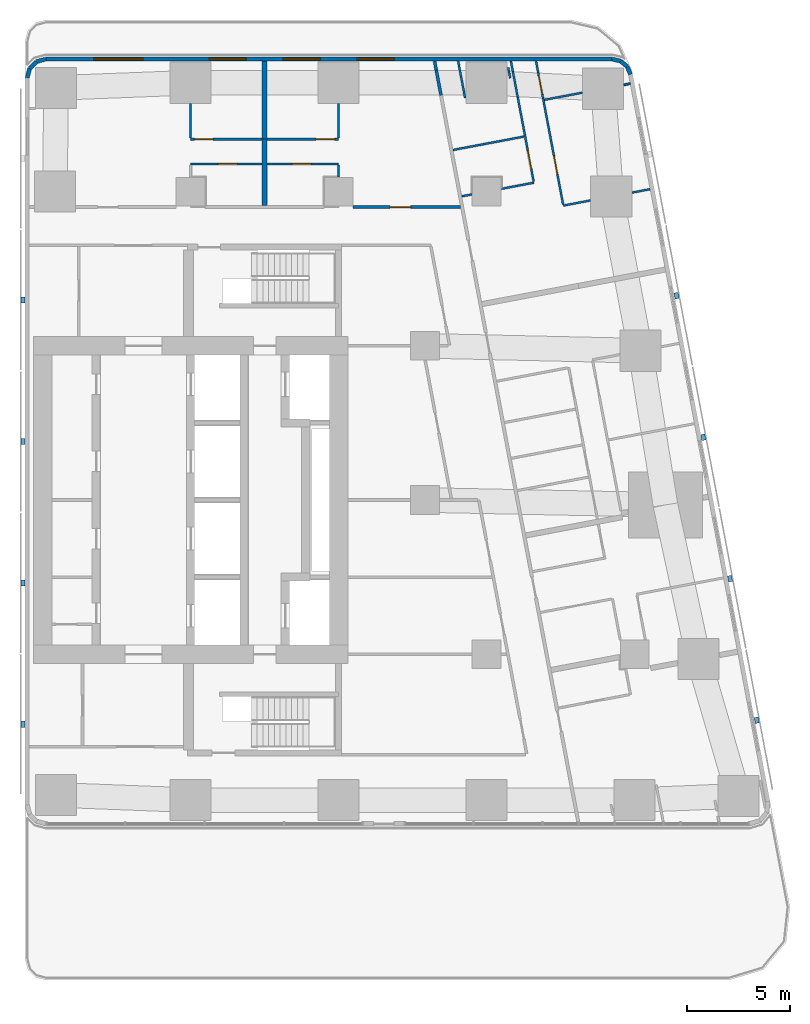
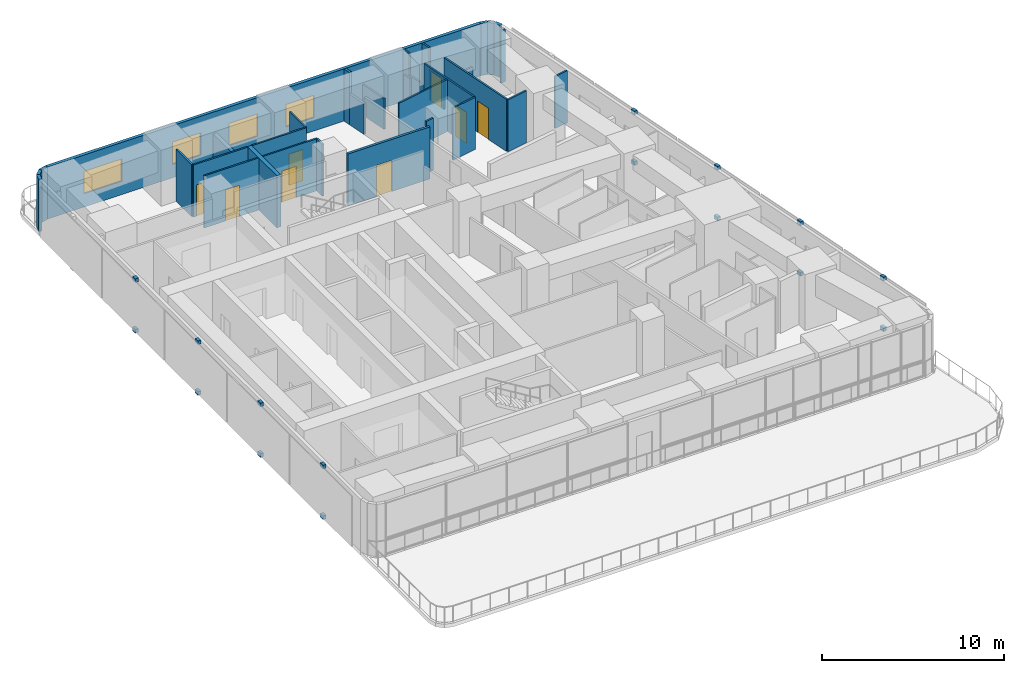
# One storey, part 8 of 12: 34 walls, 16 discrete accessories, 8 doors, 4 windows, 12 openings.
"""IFC4 building model written with IfcOpenShell, lengths in metres."""

from ifc_helpers import new_model, si_unit, direction, frame, frame_2d, origin, origin_2d, place, context, subcontext, project, spatial, rectangle, extrude, material, layer, layer_set, type_object, element, fill, save


model = new_model("IFC4")

# Units and contexts
model_context = context("Model", 3, precision=1e-05, world=origin(), true_north=direction((0.0, 1.0)))
body_context = subcontext(model_context, "Body", "Model", "MODEL_VIEW")
ifc_project = project(units=[si_unit("LENGTHUNIT", "METRE"), si_unit("AREAUNIT", "SQUARE_METRE"), si_unit("VOLUMEUNIT", "CUBIC_METRE"), si_unit("PLANEANGLEUNIT", "RADIAN"), si_unit("MASSUNIT", "GRAM", prefix="KILO")], contexts=[model_context])

# Site, building, storey
site_placement = place(None, origin())
site = spatial("IfcSite", under=ifc_project, at=site_placement, CompositionType="ELEMENT")
building_placement = place(site_placement, origin())
building = spatial("IfcBuilding", under=site, at=building_placement, Name="Sheger Commons Tower", CompositionType="ELEMENT")
storey_placement = place(building_placement, frame((0.0, 0.0, 251.60009765625)))
storey = spatial("IfcBuildingStorey", under=building, at=storey_placement, Name="L64", CompositionType="ELEMENT", Elevation=251.60009765625)

# Wall, opening, door
ifc_material_1 = material(Name="Hollow concrete block masonry, skimmed both sides", Category="masonry")
ifc_layer_1 = layer(ifc_material_1, 0.14990234375)
ifc_layer_set_1 = layer_set([ifc_layer_1], Name="CORRIDOR WALL 150")
wall_type_1 = type_object("IfcWallType", Name="CORRIDOR WALL 150", PredefinedType="SOLIDWALL", material=ifc_layer_set_1)
wall_1_placement = place(storey_placement, frame((29.5009765625, 36.75, 0.0), z_axis=(0.0, 0.0, 1.0), x_axis=(1.0, 0.0, 0.0)))
wall_1 = element("IfcWall", 1, at=wall_1_placement, inside=storey, type_object=wall_type_1, Name="Corridor wall L64", PredefinedType="SOLIDWALL", context=body_context, shape_type="SweptSolid", body=[
    extrude(rectangle(XDim=5.216064453125, YDim=0.14990234375, at=frame_2d((2.60791015625, 0.0))), origin(), (0.0, 0.0, 1.0), 3.5),
])
opening_1_placement = place(wall_1_placement, frame((1.802978515625, 0.0, 0.0)))
opening_1 = element("IfcOpeningElement", 2, at=opening_1_placement, cuts=wall_1, Name="Opening D1", PredefinedType="OPENING", context=body_context, shape_type="SweptSolid", body=[
    extrude(rectangle(XDim=1.0, YDim=2.10009765625, at=frame_2d((0.5, 1.050048828125))), frame((0.0, 0.0849609375, 0.0), z_axis=(0.0, -1.0, 0.0), x_axis=(1.0, 0.0, 0.0)), (0.0, 0.0, 1.0), 0.169921875),
])
ifc_material_2 = material(Name="Steel door set, fire rated", Category="steel")
door_type_1 = type_object("IfcDoorType", Name="FLAT ENTRANCE DOOR 1000x2100", OperationType="NOTDEFINED", PredefinedType="DOOR", material=ifc_material_2)
door_1_placement = place(opening_1_placement, origin())
door_1 = element("IfcDoor", 3, at=door_1_placement, inside=storey, type_object=door_type_1, Name="Flat entrance door", OperationType="SINGLE_SWING_LEFT", OverallHeight=2.10009765625, OverallWidth=1.0, PredefinedType="DOOR", context=body_context, shape_type="SweptSolid", body=[
    extrude(rectangle(XDim=1.0, YDim=2.10009765625, at=frame_2d((0.5, 1.050048828125))), frame((0.0, 0.02490234375, 0.0), z_axis=(0.0, -1.0, 0.0), x_axis=(1.0, 0.0, 0.0)), (0.0, 0.0, 1.0), 0.050048828125),
])
fill(opening_1, door_1)

# Walls
wall_2_placement = place(storey_placement, frame((33.467041015625, 43.85009765625, 0.0), z_axis=(0.0, 0.0, 1.0), x_axis=(0.184886516626, -0.982759877066, 0.0)))
element("IfcWall", 4, at=wall_2_placement, inside=storey, type_object=wall_type_1, Name="Corridor wall L64", PredefinedType="SOLIDWALL", context=body_context, shape_type="SweptSolid", body=[
    extrude(rectangle(XDim=0.443603515625, YDim=0.14990234375, at=frame_2d((0.2216796875, 0.0))), origin(), (0.0, 0.0, 1.0), 3.5),
])
wall_3_placement = place(storey_placement, frame((33.549072265625, 43.4140625, 0.0), z_axis=(0.0, 0.0, 1.0), x_axis=(0.185585816539, -0.982628060204, 0.0)))
element("IfcWall", 5, at=wall_3_placement, inside=storey, type_object=wall_type_1, Name="Corridor wall L64", PredefinedType="SOLIDWALL", context=body_context, shape_type="SweptSolid", body=[
    extrude(rectangle(XDim=1.249755859375, YDim=0.14990234375, at=frame_2d((0.625, 0.0))), origin(), (0.0, 0.0, 1.0), 2.0498046875),
])
ifc_material_3 = material(Name="Dense concrete block masonry, plastered both sides (separating wall between flats)", Category="masonry")
ifc_layer_2 = layer(ifc_material_3, 0.25)
ifc_layer_set_2 = layer_set([ifc_layer_2], Name="DEMISING WALL 250")
wall_type_2 = type_object("IfcWallType", Name="DEMISING WALL 250", PredefinedType="SOLIDWALL", material=ifc_layer_set_2)
wall_4_placement = place(storey_placement, frame((25.199951171875, 40.050048828125, 0.0), z_axis=(0.0, 0.0, 1.0), x_axis=(0.0, 1.0, 0.0)))
element("IfcWall", 6, at=wall_4_placement, inside=storey, type_object=wall_type_2, Name="Demising wall L64", PredefinedType="SOLIDWALL", context=body_context, shape_type="SweptSolid", body=[
    extrude(rectangle(XDim=3.800048828125, YDim=0.25, at=frame_2d((1.89990234375, 0.0))), origin(), (0.0, 0.0, 1.0), 2.0498046875),
])
wall_5_placement = place(storey_placement, frame((25.199951171875, 36.824951171875, 0.0), z_axis=(0.0, 0.0, 1.0), x_axis=(0.0, 1.0, 0.0)))
element("IfcWall", 7, at=wall_5_placement, inside=storey, type_object=wall_type_2, Name="Demising wall L64", PredefinedType="SOLIDWALL", context=body_context, shape_type="SweptSolid", body=[
    extrude(rectangle(XDim=3.22509765625, YDim=0.25, at=frame_2d((1.612548828125, 0.0))), origin(), (0.0, 0.0, 1.0), 3.5),
])
ifc_material_4 = material(Name="Rendered concrete block masonry, dark grey", Category="masonry")
ifc_layer_3 = layer(ifc_material_4, 0.199951171875)
ifc_layer_set_3 = layer_set([ifc_layer_3], Name="FACADE WALL 200")
wall_type_3 = type_object("IfcWallType", Name="FACADE WALL 200", PredefinedType="SOLIDWALL", material=ifc_layer_set_3)
wall_6_placement = place(storey_placement, frame((43.001953125, 43.2060546875, 0.0), z_axis=(0.0, 0.0, 1.0), x_axis=(-0.40678170573, 0.913525393124, 0.0)))
element("IfcWall", 8, at=wall_6_placement, inside=storey, type_object=wall_type_3, Name="Facade wall L64", PredefinedType="SOLIDWALL", context=body_context, shape_type="SweptSolid", body=[
    extrude(rectangle(XDim=0.422607421875, YDim=0.199951171875, at=frame_2d((0.21142578125, 0.0))), origin(), (0.0, 0.0, 1.0), 3.5),
])
wall_7_placement = place(storey_placement, frame((42.830078125, 43.592041015625, 0.0), z_axis=(0.0, 0.0, 1.0), x_axis=(-0.771190539797, 0.636604391539, 0.0)))
element("IfcWall", 9, at=wall_7_placement, inside=storey, type_object=wall_type_3, Name="Facade wall L64", PredefinedType="SOLIDWALL", context=body_context, shape_type="SweptSolid", body=[
    extrude(rectangle(XDim=0.409912109375, YDim=0.199951171875, at=frame_2d((0.205078125, 0.0))), origin(), (0.0, 0.0, 1.0), 3.5),
])
wall_8_placement = place(storey_placement, frame((42.513916015625, 43.85302734375, 0.0), z_axis=(0.0, 0.0, 1.0), x_axis=(-0.973288080424, 0.229587265555, 0.0)))
element("IfcWall", 10, at=wall_8_placement, inside=storey, type_object=wall_type_3, Name="Facade wall L64", PredefinedType="SOLIDWALL", context=body_context, shape_type="SweptSolid", body=[
    extrude(rectangle(XDim=0.422119140625, YDim=0.199951171875, at=frame_2d((0.2109375, 0.0))), origin(), (0.0, 0.0, 1.0), 3.5),
])

# Wall, openings, windows
wall_9_placement = place(storey_placement, frame((42.10302734375, 43.949951171875, 0.0), z_axis=(0.0, 0.0, 1.0), x_axis=(-1.0, 0.0, 0.0)))
wall_9 = element("IfcWall", 11, at=wall_9_placement, inside=storey, type_object=wall_type_3, Name="Facade wall L64", PredefinedType="SOLIDWALL", context=body_context, shape_type="SweptSolid", body=[
    extrude(rectangle(XDim=27.5400390625, YDim=0.199951171875, at=frame_2d((13.77001953125, 0.0))), origin(), (0.0, 0.0, 1.0), 3.5),
])
opening_2_placement = place(wall_9_placement, frame((10.60302734375, 0.0, 0.89990234375)))
opening_2 = element("IfcOpeningElement", 12, at=opening_2_placement, cuts=wall_9, Name="Opening W2", PredefinedType="OPENING", context=body_context, shape_type="SweptSolid", body=[
    extrude(rectangle(XDim=1.800048828125, YDim=1.5, at=frame_2d((0.89990234375, 0.75))), frame((0.0, 0.10986328125, 0.0), z_axis=(0.0, -1.0, 0.0), x_axis=(1.0, 0.0, 0.0)), (0.0, 0.0, 1.0), 0.219970703125),
])
opening_3_placement = place(wall_9_placement, frame((14.202880859375, 0.0, 0.89990234375)))
opening_3 = element("IfcOpeningElement", 13, at=opening_3_placement, cuts=wall_9, Name="Opening W2", PredefinedType="OPENING", context=body_context, shape_type="SweptSolid", body=[
    extrude(rectangle(XDim=1.800048828125, YDim=1.5, at=frame_2d((0.89990234375, 0.75))), frame((0.0, 0.10986328125, 0.0), z_axis=(0.0, -1.0, 0.0), x_axis=(1.0, 0.0, 0.0)), (0.0, 0.0, 1.0), 0.219970703125),
])
opening_4_placement = place(wall_9_placement, frame((17.802978515625, 0.0, 0.89990234375)))
opening_4 = element("IfcOpeningElement", 14, at=opening_4_placement, cuts=wall_9, Name="Opening W2", PredefinedType="OPENING", context=body_context, shape_type="SweptSolid", body=[
    extrude(rectangle(XDim=1.800048828125, YDim=1.5, at=frame_2d((0.89990234375, 0.75))), frame((0.0, 0.10986328125, 0.0), z_axis=(0.0, -1.0, 0.0), x_axis=(1.0, 0.0, 0.0)), (0.0, 0.0, 1.0), 0.219970703125),
])
opening_5_placement = place(wall_9_placement, frame((22.822021484375, 0.0, 0.89990234375)))
opening_5 = element("IfcOpeningElement", 15, at=opening_5_placement, cuts=wall_9, Name="Opening W1", PredefinedType="OPENING", context=body_context, shape_type="SweptSolid", body=[
    extrude(rectangle(XDim=2.39990234375, YDim=1.5, at=frame_2d((1.199951171875, 0.75))), frame((0.0, 0.10986328125, 0.0), z_axis=(0.0, -1.0, 0.0), x_axis=(1.0, 0.0, 0.0)), (0.0, 0.0, 1.0), 0.219970703125),
])
ifc_material_5 = material(Name="Black aluminium frame, dark tinted double glazing", Category="aluminium")
window_type_1 = type_object("IfcWindowType", Name="WINDOW W1 2400x1500", PartitioningType="SINGLE_PANEL", PredefinedType="WINDOW", material=ifc_material_5)
window_1_placement = place(opening_5_placement, origin())
window_1 = element("IfcWindow", 16, at=window_1_placement, inside=storey, type_object=window_type_1, Name="Window W1 2400X1500", OverallHeight=1.5, OverallWidth=2.39990234375, PartitioningType="SINGLE_PANEL", PredefinedType="WINDOW", context=body_context, shape_type="SweptSolid", body=[
    extrude(rectangle(XDim=2.39990234375, YDim=1.5, at=frame_2d((1.199951171875, 0.75))), frame((0.0, 0.030029296875, 0.0), z_axis=(0.0, -1.0, 0.0), x_axis=(1.0, 0.0, 0.0)), (0.0, 0.0, 1.0), 0.06005859375),
])
fill(opening_5, window_1)
ifc_material_6 = material(Name="Black aluminium frame, dark tinted double glazing", Category="aluminium")
window_type_2 = type_object("IfcWindowType", Name="WINDOW W2 1800x1500", PartitioningType="SINGLE_PANEL", PredefinedType="WINDOW", material=ifc_material_6)
window_2_placement = place(opening_2_placement, origin())
window_2 = element("IfcWindow", 17, at=window_2_placement, inside=storey, type_object=window_type_2, Name="Window W2 1800X1500", OverallHeight=1.5, OverallWidth=1.800048828125, PartitioningType="SINGLE_PANEL", PredefinedType="WINDOW", context=body_context, shape_type="SweptSolid", body=[
    extrude(rectangle(XDim=1.800048828125, YDim=1.5, at=frame_2d((0.89990234375, 0.75))), frame((0.0, 0.030029296875, 0.0), z_axis=(0.0, -1.0, 0.0), x_axis=(1.0, 0.0, 0.0)), (0.0, 0.0, 1.0), 0.06005859375),
])
fill(opening_2, window_2)
window_3_placement = place(opening_3_placement, origin())
window_3 = element("IfcWindow", 18, at=window_3_placement, inside=storey, type_object=window_type_2, Name="Window W2 1800X1500", OverallHeight=1.5, OverallWidth=1.800048828125, PartitioningType="SINGLE_PANEL", PredefinedType="WINDOW", context=body_context, shape_type="SweptSolid", body=[
    extrude(rectangle(XDim=1.800048828125, YDim=1.5, at=frame_2d((0.89990234375, 0.75))), frame((0.0, 0.030029296875, 0.0), z_axis=(0.0, -1.0, 0.0), x_axis=(1.0, 0.0, 0.0)), (0.0, 0.0, 1.0), 0.06005859375),
])
fill(opening_3, window_3)
window_4_placement = place(opening_4_placement, origin())
window_4 = element("IfcWindow", 19, at=window_4_placement, inside=storey, type_object=window_type_2, Name="Window W2 1800X1500", OverallHeight=1.5, OverallWidth=1.800048828125, PartitioningType="SINGLE_PANEL", PredefinedType="WINDOW", context=body_context, shape_type="SweptSolid", body=[
    extrude(rectangle(XDim=1.800048828125, YDim=1.5, at=frame_2d((0.89990234375, 0.75))), frame((0.0, 0.030029296875, 0.0), z_axis=(0.0, -1.0, 0.0), x_axis=(1.0, 0.0, 0.0)), (0.0, 0.0, 1.0), 0.06005859375),
])
fill(opening_4, window_4)

# Walls
wall_10_placement = place(storey_placement, frame((14.56298828125, 43.949951171875, 0.0), z_axis=(0.0, 0.0, 1.0), x_axis=(-0.965655254015, -0.259826731483, 0.0)))
element("IfcWall", 20, at=wall_10_placement, inside=storey, type_object=wall_type_3, Name="Facade wall L64", PredefinedType="SOLIDWALL", context=body_context, shape_type="SweptSolid", body=[
    extrude(rectangle(XDim=0.477294921875, YDim=0.199951171875, at=frame_2d((0.23876953125, 0.0))), origin(), (0.0, 0.0, 1.0), 3.5),
])
wall_11_placement = place(storey_placement, frame((14.10205078125, 43.825927734375, 0.0), z_axis=(0.0, 0.0, 1.0), x_axis=(-0.707369890659, -0.706843573776, 0.0)))
element("IfcWall", 21, at=wall_11_placement, inside=storey, type_object=wall_type_3, Name="Facade wall L64", PredefinedType="SOLIDWALL", context=body_context, shape_type="SweptSolid", body=[
    extrude(rectangle(XDim=0.4638671875, YDim=0.199951171875, at=frame_2d((0.23193359375, 0.0))), origin(), (0.0, 0.0, 1.0), 3.5),
])
wall_12_placement = place(storey_placement, frame((13.77392578125, 43.498046875, 0.0), z_axis=(0.0, 0.0, 1.0), x_axis=(-0.259826731483, -0.965655254015, 0.0)))
element("IfcWall", 22, at=wall_12_placement, inside=storey, type_object=wall_type_3, Name="Facade wall L64", PredefinedType="SOLIDWALL", context=body_context, shape_type="SweptSolid", body=[
    extrude(rectangle(XDim=0.477294921875, YDim=0.199951171875, at=frame_2d((0.23876953125, 0.0))), origin(), (0.0, 0.0, 1.0), 3.5),
])
ifc_material_7 = material(Name="Gypsum board on steel studs", Category="steel")
ifc_layer_4 = layer(ifc_material_7, 0.10009765625)
ifc_layer_set_4 = layer_set([ifc_layer_4], Name="PARTITION 100")
wall_type_4 = type_object("IfcWallType", Name="PARTITION 100", PredefinedType="PARTITIONING", material=ifc_layer_set_4)
wall_13_placement = place(storey_placement, frame((34.951904296875, 42.054931640625, 0.0), z_axis=(0.0, 0.0, 1.0), x_axis=(-0.185490642006, 0.98264603074, 0.0)))
element("IfcWall", 23, at=wall_13_placement, inside=storey, type_object=wall_type_4, Name="Partition L64", PredefinedType="PARTITIONING", context=body_context, shape_type="SweptSolid", body=[
    extrude(rectangle(XDim=1.826904296875, YDim=0.10009765625, at=frame_2d((0.91357421875, 0.0))), origin(), (0.0, 0.0, 1.0), 2.0498046875),
])
wall_14_placement = place(storey_placement, frame((37.049072265625, 43.5390625, 0.0), z_axis=(0.0, 0.0, 1.0), x_axis=(0.186119495745, -0.982527115811, 0.0)))
element("IfcWall", 24, at=wall_14_placement, inside=storey, type_object=wall_type_4, Name="Partition L64", PredefinedType="PARTITIONING", context=body_context, shape_type="SweptSolid", body=[
    extrude(rectangle(XDim=0.53125, YDim=0.10009765625, at=frame_2d((0.265625, 0.0))), origin(), (0.0, 0.0, 1.0), 2.0498046875),
])
wall_15_placement = place(storey_placement, frame((38.403076171875, 43.85009765625, 0.0), z_axis=(0.0, 0.0, 1.0), x_axis=(0.184976954078, -0.982742858768, 0.0)))
element("IfcWall", 25, at=wall_15_placement, inside=storey, type_object=wall_type_4, Name="Partition L64", PredefinedType="PARTITIONING", context=body_context, shape_type="SweptSolid", body=[
    extrude(rectangle(XDim=0.578125, YDim=0.10009765625, at=frame_2d((0.2890625, 0.0))), origin(), (0.0, 0.0, 1.0), 3.5),
])

# Wall, opening, door
wall_16_placement = place(storey_placement, frame((38.510009765625, 43.281982421875, 0.0), z_axis=(0.0, 0.0, 1.0), x_axis=(0.185775287495, -0.982592256511, 0.0)))
wall_16 = element("IfcWall", 26, at=wall_16_placement, inside=storey, type_object=wall_type_4, Name="Partition L64", PredefinedType="PARTITIONING", context=body_context, shape_type="SweptSolid", body=[
    extrude(rectangle(XDim=1.259033203125, YDim=0.10009765625, at=frame_2d((0.62939453125, 0.0))), origin(), (0.0, 0.0, 1.0), 2.0498046875),
])
opening_6_placement = place(wall_16_placement, frame((0.14990234375, 0.0, 0.0)))
opening_6 = element("IfcOpeningElement", 27, at=opening_6_placement, cuts=wall_16, Name="Opening D11", PredefinedType="OPENING", context=body_context, shape_type="SweptSolid", body=[
    extrude(rectangle(XDim=0.89990234375, YDim=2.0, at=frame_2d((0.449951171875, 1.0))), frame((0.0, 0.06005859375, 0.0), z_axis=(0.0, -1.0, 0.0), x_axis=(1.0, 0.0, 0.0)), (0.0, 0.0, 1.0), 0.1201171875),
])
ifc_material_8 = material(Name="Timber door set", Category="wood")
door_type_2 = type_object("IfcDoorType", Name="INTERNAL DOOR 900x2000", OperationType="NOTDEFINED", PredefinedType="DOOR", material=ifc_material_8)
door_2_placement = place(opening_6_placement, origin())
door_2 = element("IfcDoor", 28, at=door_2_placement, inside=storey, type_object=door_type_2, Name="Dressing room door", OperationType="SINGLE_SWING_LEFT", OverallHeight=2.0, OverallWidth=0.89990234375, PredefinedType="DOOR", context=body_context, shape_type="SweptSolid", body=[
    extrude(rectangle(XDim=0.89990234375, YDim=2.0, at=frame_2d((0.449951171875, 1.0))), frame((0.0, 0.02490234375, 0.0), z_axis=(0.0, -1.0, 0.0), x_axis=(1.0, 0.0, 0.0)), (0.0, 0.0, 1.0), 0.050048828125),
])
fill(opening_6, door_2)

wall_17_placement = place(storey_placement, frame((38.743896484375, 42.044921875, 0.0), z_axis=(0.0, 0.0, 1.0), x_axis=(0.185564988614, -0.982631993679, 0.0)))
wall_17 = element("IfcWall", 29, at=wall_17_placement, inside=storey, type_object=wall_type_4, Name="Partition L64", PredefinedType="PARTITIONING", context=body_context, shape_type="SweptSolid", body=[
    extrude(rectangle(XDim=5.265380859375, YDim=0.10009765625, at=frame_2d((2.6328125, 0.0))), origin(), (0.0, 0.0, 1.0), 3.5),
])
opening_7_placement = place(wall_17_placement, frame((2.85595703125, 0.0, 0.0)))
opening_7 = element("IfcOpeningElement", 30, at=opening_7_placement, cuts=wall_17, Name="Opening D2", PredefinedType="OPENING", context=body_context, shape_type="SweptSolid", body=[
    extrude(rectangle(XDim=0.89990234375, YDim=2.10009765625, at=frame_2d((0.449951171875, 1.050048828125))), frame((0.0, 0.06005859375, 0.0), z_axis=(0.0, -1.0, 0.0), x_axis=(1.0, 0.0, 0.0)), (0.0, 0.0, 1.0), 0.1201171875),
])
ifc_material_9 = material(Name="Timber door set", Category="wood")
door_type_3 = type_object("IfcDoorType", Name="INTERNAL DOOR 900x2100", OperationType="NOTDEFINED", PredefinedType="DOOR", material=ifc_material_9)
door_3_placement = place(opening_7_placement, origin())
door_3 = element("IfcDoor", 31, at=door_3_placement, inside=storey, type_object=door_type_3, Name="Main bedroom door", OperationType="SINGLE_SWING_RIGHT", OverallHeight=2.10009765625, OverallWidth=0.89990234375, PredefinedType="DOOR", context=body_context, shape_type="SweptSolid", body=[
    extrude(rectangle(XDim=0.89990234375, YDim=2.10009765625, at=frame_2d((0.449951171875, 1.050048828125))), frame((0.0, 0.02490234375, 0.0), z_axis=(0.0, -1.0, 0.0), x_axis=(1.0, 0.0, 0.0)), (0.0, 0.0, 1.0), 0.050048828125),
])
fill(opening_7, door_3)

# Walls
wall_18_placement = place(storey_placement, frame((37.180908203125, 43.85009765625, 0.0), z_axis=(0.0, 0.0, 1.0), x_axis=(0.185121727606, -0.982715597703, 0.0)))
element("IfcWall", 32, at=wall_18_placement, inside=storey, type_object=wall_type_4, Name="Partition L64", PredefinedType="PARTITIONING", context=body_context, shape_type="SweptSolid", body=[
    extrude(rectangle(XDim=0.512939453125, YDim=0.10009765625, at=frame_2d((0.25634765625, 0.0))), origin(), (0.0, 0.0, 1.0), 3.5),
])
wall_19_placement = place(storey_placement, frame((37.27587890625, 43.345947265625, 0.0), z_axis=(0.0, 0.0, 1.0), x_axis=(0.185962504646, -0.982556841544, 0.0)))
element("IfcWall", 33, at=wall_19_placement, inside=storey, type_object=wall_type_4, Name="Partition L64", PredefinedType="PARTITIONING", context=body_context, shape_type="SweptSolid", body=[
    extrude(rectangle(XDim=1.259033203125, YDim=0.10009765625, at=frame_2d((0.62939453125, 0.0))), origin(), (0.0, 0.0, 1.0), 2.0498046875),
])

# Wall, opening, door
wall_20_placement = place(storey_placement, frame((37.510009765625, 42.10888671875, 0.0), z_axis=(0.0, 0.0, 1.0), x_axis=(0.185580569503, -0.98262905118, 0.0)))
wall_20 = element("IfcWall", 34, at=wall_20_placement, inside=storey, type_object=wall_type_4, Name="Partition L64", PredefinedType="PARTITIONING", context=body_context, shape_type="SweptSolid", body=[
    extrude(rectangle(XDim=4.197998046875, YDim=0.10009765625, at=frame_2d((2.09912109375, 0.0))), origin(), (0.0, 0.0, 1.0), 3.5),
])
opening_8_placement = place(wall_20_placement, frame((2.64990234375, 0.0, 0.0)))
opening_8 = element("IfcOpeningElement", 35, at=opening_8_placement, cuts=wall_20, Name="Opening D2", PredefinedType="OPENING", context=body_context, shape_type="SweptSolid", body=[
    extrude(rectangle(XDim=0.89990234375, YDim=2.10009765625, at=frame_2d((0.449951171875, 1.050048828125))), frame((0.0, 0.06005859375, 0.0), z_axis=(0.0, -1.0, 0.0), x_axis=(1.0, 0.0, 0.0)), (0.0, 0.0, 1.0), 0.1201171875),
])
door_4_placement = place(opening_8_placement, origin())
door_4 = element("IfcDoor", 36, at=door_4_placement, inside=storey, type_object=door_type_3, Name="Bathroom door", OperationType="SINGLE_SWING_LEFT", OverallHeight=2.10009765625, OverallWidth=0.89990234375, PredefinedType="DOOR", context=body_context, shape_type="SweptSolid", body=[
    extrude(rectangle(XDim=0.89990234375, YDim=2.10009765625, at=frame_2d((0.449951171875, 1.050048828125))), frame((0.0, 0.02490234375, 0.0), z_axis=(0.0, -1.0, 0.0), x_axis=(1.0, 0.0, 0.0)), (0.0, 0.0, 1.0), 0.050048828125),
])
fill(opening_8, door_4)

# Walls
wall_21_placement = place(storey_placement, frame((42.985107421875, 42.7548828125, 0.0), z_axis=(0.0, 0.0, 1.0), x_axis=(-0.98281924824, -0.184570651215, 0.0)))
element("IfcWall", 37, at=wall_21_placement, inside=storey, type_object=wall_type_4, Name="Partition L64", PredefinedType="PARTITIONING", context=body_context, shape_type="SweptSolid", body=[
    extrude(rectangle(XDim=0.3134765625, YDim=0.10009765625, at=frame_2d((0.15673828125, 0.0))), origin(), (0.0, 0.0, 1.0), 3.5),
])
wall_22_placement = place(storey_placement, frame((40.656982421875, 42.31494140625, 0.0), z_axis=(0.0, 0.0, 1.0), x_axis=(-0.982622785543, -0.185613742305, 0.0)))
element("IfcWall", 38, at=wall_22_placement, inside=storey, type_object=wall_type_4, Name="Partition L64", PredefinedType="PARTITIONING", context=body_context, shape_type="SweptSolid", body=[
    extrude(rectangle(XDim=1.879638671875, YDim=0.10009765625, at=frame_2d((0.93994140625, 0.0))), origin(), (0.0, 0.0, 1.0), 2.0498046875),
])
wall_23_placement = place(storey_placement, frame((43.955078125, 37.6201171875, 0.0), z_axis=(0.0, 0.0, 1.0), x_axis=(-0.982708424405, -0.18515980288, 0.0)))
element("IfcWall", 39, at=wall_23_placement, inside=storey, type_object=wall_type_4, Name="Partition L64", PredefinedType="PARTITIONING", context=body_context, shape_type="SweptSolid", body=[
    extrude(rectangle(XDim=0.896728515625, YDim=0.10009765625, at=frame_2d((0.4482421875, 0.0))), origin(), (0.0, 0.0, 1.0), 3.5),
])
wall_24_placement = place(storey_placement, frame((41.053955078125, 37.072021484375, 0.0), z_axis=(0.0, 0.0, 1.0), x_axis=(-0.982635482721, -0.18554651195, 0.0)))
element("IfcWall", 40, at=wall_24_placement, inside=storey, type_object=wall_type_4, Name="Partition L64", PredefinedType="PARTITIONING", context=body_context, shape_type="SweptSolid", body=[
    extrude(rectangle(XDim=1.347412109375, YDim=0.10009765625, at=frame_2d((0.673828125, 0.0))), origin(), (0.0, 0.0, 1.0), 3.5),
])
wall_25_placement = place(storey_placement, frame((37.822998046875, 40.181884765625, 0.0), z_axis=(0.0, 0.0, 1.0), x_axis=(-0.98263926043, -0.185526504472, 0.0)))
element("IfcWall", 41, at=wall_25_placement, inside=storey, type_object=wall_type_4, Name="Partition L64", PredefinedType="PARTITIONING", context=body_context, shape_type="SweptSolid", body=[
    extrude(rectangle(XDim=3.524169921875, YDim=0.10009765625, at=frame_2d((1.76220703125, 0.0))), origin(), (0.0, 0.0, 1.0), 3.5),
])
wall_26_placement = place(storey_placement, frame((38.299072265625, 37.93505859375, 0.0), z_axis=(0.0, 0.0, 1.0), x_axis=(-0.98263725405, -0.185537130931, 0.0)))
element("IfcWall", 42, at=wall_26_placement, inside=storey, type_object=wall_type_4, Name="Partition L64", PredefinedType="PARTITIONING", context=body_context, shape_type="SweptSolid", body=[
    extrude(rectangle(XDim=1.6171875, YDim=0.10009765625, at=frame_2d((0.80859375, 0.0))), origin(), (0.0, 0.0, 1.0), 3.5),
])
wall_27_placement = place(storey_placement, frame((35.2900390625, 37.365966796875, 0.0), z_axis=(0.0, 0.0, 1.0), x_axis=(-0.982715597703, -0.185121727606, 0.0)))
element("IfcWall", 43, at=wall_27_placement, inside=storey, type_object=wall_type_4, Name="Partition L64", PredefinedType="PARTITIONING", context=body_context, shape_type="SweptSolid", body=[
    extrude(rectangle(XDim=0.512939453125, YDim=0.10009765625, at=frame_2d((0.25634765625, 0.0))), origin(), (0.0, 0.0, 1.0), 3.5),
])

# Wall, opening, door
wall_28_placement = place(storey_placement, frame((21.60009765625, 40.050048828125, 0.0), z_axis=(0.0, 0.0, 1.0), x_axis=(1.0, 0.0, 0.0)))
wall_28 = element("IfcWall", 44, at=wall_28_placement, inside=storey, type_object=wall_type_4, Name="Partition L64", PredefinedType="PARTITIONING", context=body_context, shape_type="SweptSolid", body=[
    extrude(rectangle(XDim=3.474853515625, YDim=0.10009765625, at=frame_2d((1.7373046875, 0.0))), origin(), (0.0, 0.0, 1.0), 3.5),
])
opening_9_placement = place(wall_28_placement, frame((0.199951171875, 0.0, 0.0)))
opening_9 = element("IfcOpeningElement", 45, at=opening_9_placement, cuts=wall_28, Name="Opening D2", PredefinedType="OPENING", context=body_context, shape_type="SweptSolid", body=[
    extrude(rectangle(XDim=0.89990234375, YDim=2.10009765625, at=frame_2d((0.449951171875, 1.050048828125))), frame((0.0, 0.06005859375, 0.0), z_axis=(0.0, -1.0, 0.0), x_axis=(1.0, 0.0, 0.0)), (0.0, 0.0, 1.0), 0.1201171875),
])
door_5_placement = place(opening_9_placement, origin())
door_5 = element("IfcDoor", 46, at=door_5_placement, inside=storey, type_object=door_type_3, Name="Main bedroom door", OperationType="SINGLE_SWING_LEFT", OverallHeight=2.10009765625, OverallWidth=0.89990234375, PredefinedType="DOOR", context=body_context, shape_type="SweptSolid", body=[
    extrude(rectangle(XDim=0.89990234375, YDim=2.10009765625, at=frame_2d((0.449951171875, 1.050048828125))), frame((0.0, 0.02490234375, 0.0), z_axis=(0.0, -1.0, 0.0), x_axis=(1.0, 0.0, 0.0)), (0.0, 0.0, 1.0), 0.050048828125),
])
fill(opening_9, door_5)

wall_29_placement = place(storey_placement, frame((21.60009765625, 38.85009765625, 0.0), z_axis=(0.0, 0.0, 1.0), x_axis=(1.0, 0.0, 0.0)))
wall_29 = element("IfcWall", 47, at=wall_29_placement, inside=storey, type_object=wall_type_4, Name="Partition L64", PredefinedType="PARTITIONING", context=body_context, shape_type="SweptSolid", body=[
    extrude(rectangle(XDim=3.474853515625, YDim=0.10009765625, at=frame_2d((1.7373046875, 0.0))), origin(), (0.0, 0.0, 1.0), 3.5),
])
opening_10_placement = place(wall_29_placement, frame((1.35009765625, 0.0, 0.0)))
opening_10 = element("IfcOpeningElement", 48, at=opening_10_placement, cuts=wall_29, Name="Opening D2", PredefinedType="OPENING", context=body_context, shape_type="SweptSolid", body=[
    extrude(rectangle(XDim=0.89990234375, YDim=2.10009765625, at=frame_2d((0.449951171875, 1.050048828125))), frame((0.0, 0.06005859375, 0.0), z_axis=(0.0, -1.0, 0.0), x_axis=(1.0, 0.0, 0.0)), (0.0, 0.0, 1.0), 0.1201171875),
])
door_6_placement = place(opening_10_placement, origin())
door_6 = element("IfcDoor", 49, at=door_6_placement, inside=storey, type_object=door_type_3, Name="Bathroom door", OperationType="SINGLE_SWING_LEFT", OverallHeight=2.10009765625, OverallWidth=0.89990234375, PredefinedType="DOOR", context=body_context, shape_type="SweptSolid", body=[
    extrude(rectangle(XDim=0.89990234375, YDim=2.10009765625, at=frame_2d((0.449951171875, 1.050048828125))), frame((0.0, 0.02490234375, 0.0), z_axis=(0.0, -1.0, 0.0), x_axis=(1.0, 0.0, 0.0)), (0.0, 0.0, 1.0), 0.050048828125),
])
fill(opening_10, door_6)

# Wall
wall_30_placement = place(storey_placement, frame((21.60009765625, 40.10009765625, 0.0), z_axis=(0.0, 0.0, 1.0), x_axis=(0.0, 1.0, 0.0)))
element("IfcWall", 50, at=wall_30_placement, inside=storey, type_object=wall_type_4, Name="Partition L64", PredefinedType="PARTITIONING", context=body_context, shape_type="SweptSolid", body=[
    extrude(rectangle(XDim=1.698974609375, YDim=0.10009765625, at=frame_2d((0.849609375, 0.0))), origin(), (0.0, 0.0, 1.0), 3.5),
])

# Wall, opening, door
wall_31_placement = place(storey_placement, frame((25.324951171875, 40.050048828125, 0.0), z_axis=(0.0, 0.0, 1.0), x_axis=(1.0, 0.0, 0.0)))
wall_31 = element("IfcWall", 51, at=wall_31_placement, inside=storey, type_object=wall_type_4, Name="Partition L64", PredefinedType="PARTITIONING", context=body_context, shape_type="SweptSolid", body=[
    extrude(rectangle(XDim=3.47509765625, YDim=0.10009765625, at=frame_2d((1.737548828125, 0.0))), origin(), (0.0, 0.0, 1.0), 3.5),
])
opening_11_placement = place(wall_31_placement, frame((2.375, 0.0, 0.0)))
opening_11 = element("IfcOpeningElement", 52, at=opening_11_placement, cuts=wall_31, Name="Opening D2", PredefinedType="OPENING", context=body_context, shape_type="SweptSolid", body=[
    extrude(rectangle(XDim=0.89990234375, YDim=2.10009765625, at=frame_2d((0.449951171875, 1.050048828125))), frame((0.0, 0.06005859375, 0.0), z_axis=(0.0, -1.0, 0.0), x_axis=(1.0, 0.0, 0.0)), (0.0, 0.0, 1.0), 0.1201171875),
])
door_7_placement = place(opening_11_placement, origin())
door_7 = element("IfcDoor", 53, at=door_7_placement, inside=storey, type_object=door_type_3, Name="Main bedroom door", OperationType="SINGLE_SWING_RIGHT", OverallHeight=2.10009765625, OverallWidth=0.89990234375, PredefinedType="DOOR", context=body_context, shape_type="SweptSolid", body=[
    extrude(rectangle(XDim=0.89990234375, YDim=2.10009765625, at=frame_2d((0.449951171875, 1.050048828125))), frame((0.0, 0.02490234375, 0.0), z_axis=(0.0, -1.0, 0.0), x_axis=(1.0, 0.0, 0.0)), (0.0, 0.0, 1.0), 0.050048828125),
])
fill(opening_11, door_7)

wall_32_placement = place(storey_placement, frame((25.324951171875, 38.85009765625, 0.0), z_axis=(0.0, 0.0, 1.0), x_axis=(1.0, 0.0, 0.0)))
wall_32 = element("IfcWall", 54, at=wall_32_placement, inside=storey, type_object=wall_type_4, Name="Partition L64", PredefinedType="PARTITIONING", context=body_context, shape_type="SweptSolid", body=[
    extrude(rectangle(XDim=3.47509765625, YDim=0.10009765625, at=frame_2d((1.737548828125, 0.0))), origin(), (0.0, 0.0, 1.0), 3.5),
])
opening_12_placement = place(wall_32_placement, frame((1.22509765625, 0.0, 0.0)))
opening_12 = element("IfcOpeningElement", 55, at=opening_12_placement, cuts=wall_32, Name="Opening D2", PredefinedType="OPENING", context=body_context, shape_type="SweptSolid", body=[
    extrude(rectangle(XDim=0.89990234375, YDim=2.10009765625, at=frame_2d((0.449951171875, 1.050048828125))), frame((0.0, 0.06005859375, 0.0), z_axis=(0.0, -1.0, 0.0), x_axis=(1.0, 0.0, 0.0)), (0.0, 0.0, 1.0), 0.1201171875),
])
door_8_placement = place(opening_12_placement, origin())
door_8 = element("IfcDoor", 56, at=door_8_placement, inside=storey, type_object=door_type_3, Name="Bathroom door", OperationType="SINGLE_SWING_RIGHT", OverallHeight=2.10009765625, OverallWidth=0.89990234375, PredefinedType="DOOR", context=body_context, shape_type="SweptSolid", body=[
    extrude(rectangle(XDim=0.89990234375, YDim=2.10009765625, at=frame_2d((0.449951171875, 1.050048828125))), frame((0.0, 0.02490234375, 0.0), z_axis=(0.0, -1.0, 0.0), x_axis=(1.0, 0.0, 0.0)), (0.0, 0.0, 1.0), 0.050048828125),
])
fill(opening_12, door_8)

# Walls
wall_33_placement = place(storey_placement, frame((28.800048828125, 40.10009765625, 0.0), z_axis=(0.0, 0.0, 1.0), x_axis=(0.0, 1.0, 0.0)))
element("IfcWall", 57, at=wall_33_placement, inside=storey, type_object=wall_type_4, Name="Partition L64", PredefinedType="PARTITIONING", context=body_context, shape_type="SweptSolid", body=[
    extrude(rectangle(XDim=1.698974609375, YDim=0.10009765625, at=frame_2d((0.849609375, 0.0))), origin(), (0.0, 0.0, 1.0), 3.5),
])
wall_34_placement = place(storey_placement, frame((28.800048828125, 38.200927734375, 0.0), z_axis=(0.0, 0.0, 1.0), x_axis=(0.0, 1.0, 0.0)))
element("IfcWall", 58, at=wall_34_placement, inside=storey, type_object=wall_type_4, Name="Partition L64", PredefinedType="PARTITIONING", context=body_context, shape_type="SweptSolid", body=[
    extrude(rectangle(XDim=0.59912109375, YDim=0.10009765625, at=frame_2d((0.299560546875, 0.0))), origin(), (0.0, 0.0, 1.0), 3.5),
])

# Discrete accessories
ifc_material_10 = material(Name="Black painted steel bracket", Category="steel")
discrete_accessory_type = type_object("IfcDiscreteAccessoryType", Name="SCREEN BRACKET 300x200x250", PredefinedType="BRACKET", material=ifc_material_10)
for number, where, z_axis, x_axis, name in (
    (59, (49.139892578125, 11.7880859375, -0.10009765625), (0.0, 0.0, 1.0), (-0.185615165645, 0.982622516678, 0.0), "Solar screen foot bracket"),
    (60, (49.139892578125, 11.7880859375, 3.2998046875), (0.0, 0.0, 1.0), (-0.185615165645, 0.982622516678, 0.0), "Solar screen head bracket"),
    (61, (47.840087890625, 18.6708984375, -0.10009765625), (0.0, 0.0, 1.0), (-0.185615165645, 0.982622516678, 0.0), "Solar screen foot bracket"),
    (62, (47.840087890625, 18.6708984375, 3.2998046875), (0.0, 0.0, 1.0), (-0.185615165645, 0.982622516678, 0.0), "Solar screen head bracket"),
    (63, (46.5400390625, 25.554931640625, -0.10009765625), (0.0, 0.0, 1.0), (-0.185615165645, 0.982622516678, 0.0), "Solar screen foot bracket"),
    (64, (46.5400390625, 25.554931640625, 3.2998046875), (0.0, 0.0, 1.0), (-0.185615165645, 0.982622516678, 0.0), "Solar screen head bracket"),
    (65, (45.239013671875, 32.43798828125, -0.10009765625), (0.0, 0.0, 1.0), (-0.185615165645, 0.982622516678, 0.0), "Solar screen foot bracket"),
    (66, (45.239013671875, 32.43798828125, 3.2998046875), (0.0, 0.0, 1.0), (-0.185615165645, 0.982622516678, 0.0), "Solar screen head bracket"),
    (67, (13.449951171875, 32.22998046875, -0.10009765625), (0.0, 0.0, 1.0), (0.0, -1.0, 0.0), "Solar screen foot bracket"),
    (68, (13.449951171875, 32.22998046875, 3.2998046875), (0.0, 0.0, 1.0), (0.0, -1.0, 0.0), "Solar screen head bracket"),
    (69, (13.449951171875, 25.35009765625, -0.10009765625), (0.0, 0.0, 1.0), (0.0, -1.0, 0.0), "Solar screen foot bracket"),
    (70, (13.449951171875, 25.35009765625, 3.2998046875), (0.0, 0.0, 1.0), (0.0, -1.0, 0.0), "Solar screen head bracket"),
    (71, (13.449951171875, 18.469970703125, -0.10009765625), (0.0, 0.0, 1.0), (0.0, -1.0, 0.0), "Solar screen foot bracket"),
    (72, (13.449951171875, 18.469970703125, 3.2998046875), (0.0, 0.0, 1.0), (0.0, -1.0, 0.0), "Solar screen head bracket"),
    (73, (13.449951171875, 11.590087890625, -0.10009765625), (0.0, 0.0, 1.0), (0.0, -1.0, 0.0), "Solar screen foot bracket"),
    (74, (13.449951171875, 11.590087890625, 3.2998046875), (0.0, 0.0, 1.0), (0.0, -1.0, 0.0), "Solar screen head bracket"),
):
    element("IfcDiscreteAccessory", number, at=place(storey_placement, frame(where, z_axis=z_axis, x_axis=x_axis)), inside=storey, type_object=discrete_accessory_type, Name=name, PredefinedType="BRACKET", context=body_context, shape_type="SweptSolid", body=[
        extrude(rectangle(XDim=0.300048828125, YDim=0.199951171875, at=origin_2d()), origin(), (0.0, 0.0, 1.0), 0.25),
    ])

save(model, "model.ifc")
